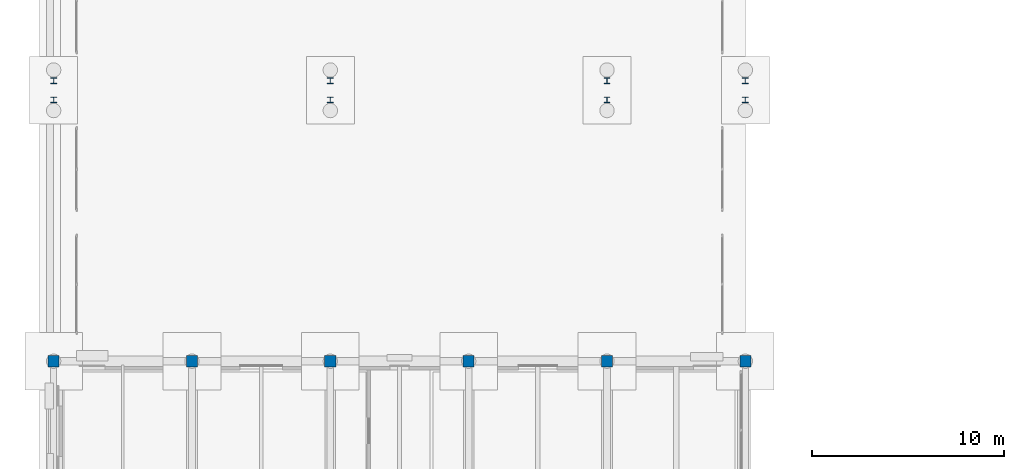
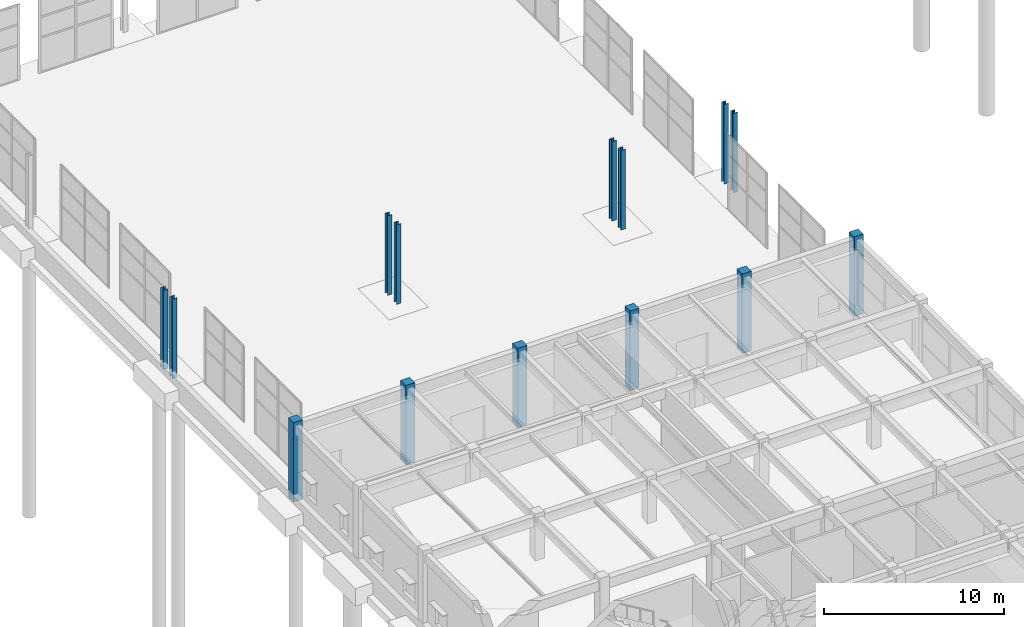
# One storey, part 11 of 91: 14 columns.
"""IFC4 building model written with IfcOpenShell, lengths in metres."""

from ifc_helpers import new_model, si_unit, direction, frame, origin, origin_2d, place, context, subcontext, project, spatial, rectangle, i_section, extrude, material, material_profile, profile_set, type_object, element, save


model = new_model("IFC4")

# Units and contexts
model_context = context("Model", 3, precision=1e-05, world=origin(), true_north=direction((0.0, 1.0)))
body_context = subcontext(model_context, "Body", "Model", "MODEL_VIEW")
ifc_project = project(units=[si_unit("LENGTHUNIT", "METRE"), si_unit("AREAUNIT", "SQUARE_METRE"), si_unit("VOLUMEUNIT", "CUBIC_METRE"), si_unit("PLANEANGLEUNIT", "RADIAN"), si_unit("MASSUNIT", "GRAM", prefix="KILO")], contexts=[model_context])

# Site, building, storey
site_placement = place(None, origin())
site = spatial("IfcSite", under=ifc_project, at=site_placement, CompositionType="ELEMENT")
building_placement = place(site_placement, origin())
building = spatial("IfcBuilding", under=site, at=building_placement, Name="Bramveld Media Centre", CompositionType="ELEMENT")
storey_placement = place(building_placement, origin())
storey = spatial("IfcBuildingStorey", under=building, at=storey_placement, Name="L00", CompositionType="ELEMENT", Elevation=0.0)

# Columns
ifc_material_1 = material(Name="Concrete C40/50", Category="concrete")
ifc_material_profile_1 = material_profile(ifc_material_1, rectangle(XDim=0.580078125, YDim=0.580078125, at=origin_2d()), Name="RC 580x580")
ifc_profile_set_1 = profile_set([ifc_material_profile_1], Name="Concrete C40/50")
column_type_1 = type_object("IfcColumnType", Name="COL-EXT-RC-580x580", PredefinedType="COLUMN", material=ifc_profile_set_1)
for number, where, z_axis, x_axis, name in (
    (1, (0.0, 68.0, 0.0), (0.0, 0.0, 1.0), (1.0, 0.0, 0.0), "V3 L00 column RC 580x580"),
    (2, (7.199951171875, 68.0, 0.0), (0.0, 0.0, 1.0), (1.0, 0.0, 0.0), "V3 L00 column RC 580x580"),
    (3, (14.39990234375, 68.0, 0.0), (0.0, 0.0, 1.0), (1.0, 0.0, 0.0), "V3 L00 column RC 580x580"),
    (4, (21.60009765625, 68.0, 0.0), (0.0, 0.0, 1.0), (1.0, 0.0, 0.0), "V3 L00 column RC 580x580"),
    (5, (28.800048828125, 68.0, 0.0), (0.0, 0.0, 1.0), (1.0, 0.0, 0.0), "V3 L00 column RC 580x580"),
    (6, (36.0, 68.0, 0.0), (0.0, 0.0, 1.0), (1.0, 0.0, 0.0), "V3 L00 column RC 580x580"),
):
    element("IfcColumn", number, at=place(storey_placement, frame(where, z_axis=z_axis, x_axis=x_axis)), inside=storey, type_object=column_type_1, Name=name, PredefinedType="COLUMN", context=body_context, shape_type="SweptSolid", body=[
        extrude(rectangle(XDim=0.580078125, YDim=0.580078125, at=origin_2d()), origin(), (0.0, 0.0, 1.0), 5.39990234375),
    ])
ifc_material_2 = material(Name="Steel S355J2", Category="steel")
ifc_material_profile_2 = material_profile(ifc_material_2, i_section(OverallWidth=0.300048828125, OverallDepth=0.300048828125, WebThickness=0.010986328125, FlangeThickness=0.01904296875, FilletRadius=0.027099609375, at=origin_2d()), Name="HEB 300")
ifc_profile_set_2 = profile_set([ifc_material_profile_2], Name="Steel S355J2")
column_type_2 = type_object("IfcColumnType", Name="SCOL-EXT-HEB-300", PredefinedType="COLUMN", material=ifc_profile_set_2)
for number, where, z_axis, x_axis, name in (
    (7, (0.0, 81.60009765625, 0.0), (0.0, 0.0, 1.0), (1.0, 0.0, 0.0), "Portal colonnade column 9"),
    (8, (14.39990234375, 81.60009765625, 0.0), (0.0, 0.0, 1.0), (1.0, 0.0, 0.0), "Portal colonnade column 10"),
    (9, (28.800048828125, 81.60009765625, 0.0), (0.0, 0.0, 1.0), (1.0, 0.0, 0.0), "Portal colonnade column 11"),
    (10, (36.0, 81.60009765625, 0.0), (0.0, 0.0, 1.0), (1.0, 0.0, 0.0), "Portal colonnade column 12"),
    (11, (0.0, 82.60009765625, 0.0), (0.0, 0.0, 1.0), (1.0, 0.0, 0.0), "Portal colonnade column 13"),
    (12, (14.39990234375, 82.60009765625, 0.0), (0.0, 0.0, 1.0), (1.0, 0.0, 0.0), "Portal colonnade column 14"),
    (13, (28.800048828125, 82.60009765625, 0.0), (0.0, 0.0, 1.0), (1.0, 0.0, 0.0), "Portal colonnade column 15"),
    (14, (36.0, 82.60009765625, 0.0), (0.0, 0.0, 1.0), (1.0, 0.0, 0.0), "Portal colonnade column 16"),
):
    element("IfcColumn", number, at=place(storey_placement, frame(where, z_axis=z_axis, x_axis=x_axis)), inside=storey, type_object=column_type_2, Name=name, PredefinedType="COLUMN", context=body_context, shape_type="SweptSolid", body=[
        extrude(i_section(OverallWidth=0.300048828125, OverallDepth=0.300048828125, WebThickness=0.010986328125, FlangeThickness=0.01904296875, FilletRadius=0.027099609375, at=origin_2d()), origin(), (0.0, 0.0, 1.0), 5.39990234375),
    ])

save(model, "model.ifc")
